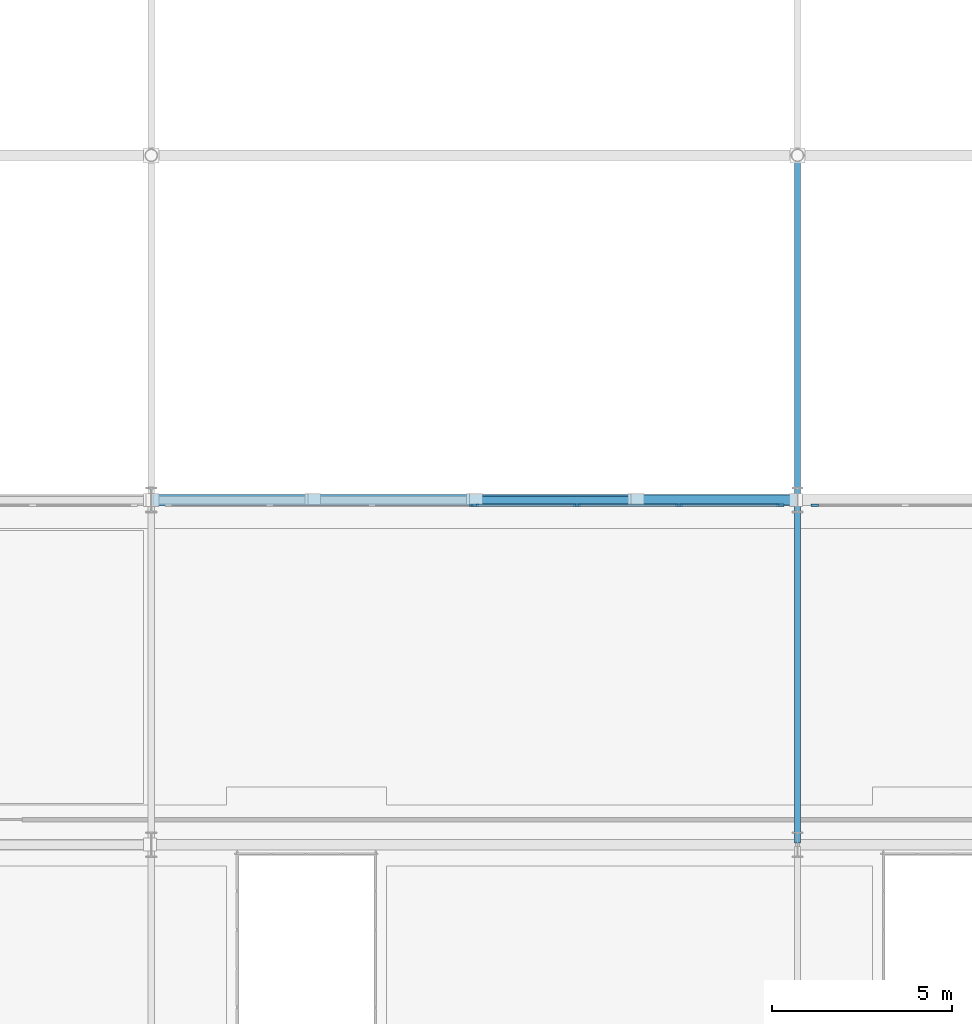
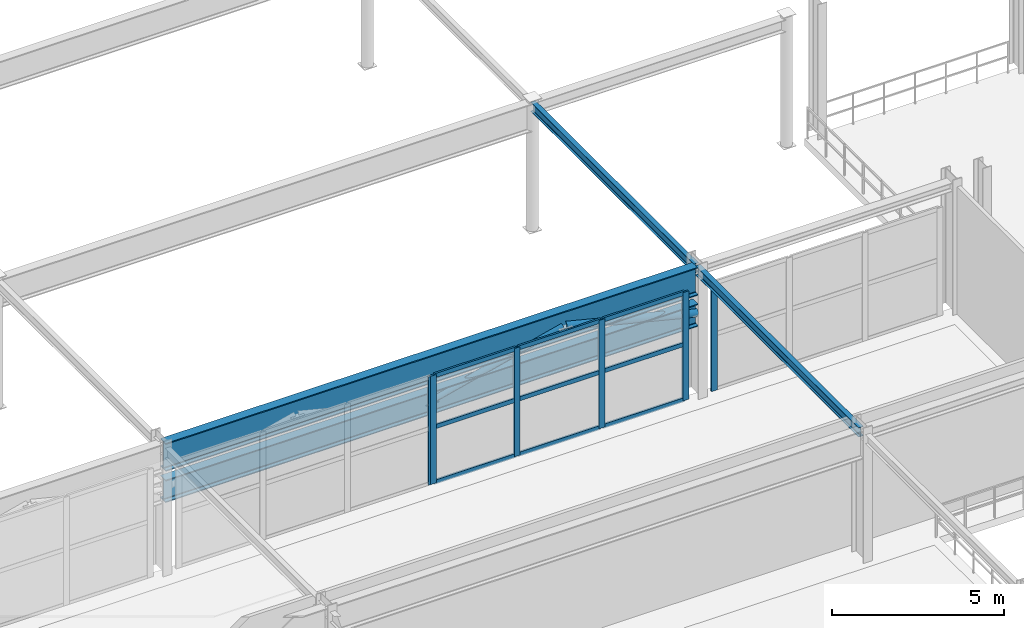
# One storey, part 45 of 125: 18 members, 3 beams, 3 elements without a shape of their own.
"""IFC4 building model written with IfcOpenShell, lengths in metres."""

from ifc_helpers import new_model, si_unit, direction, frame, origin, origin_2d, place, context, subcontext, project, spatial, rectangle, hollow_circle, i_section, extrude, material, layer, layer_set, material_profile, profile_set, type_object, element, aggregate, save


model = new_model("IFC4")

# Units and contexts
model_context = context("Model", 3, precision=1e-05, world=origin(), true_north=direction((0.0, 1.0)))
body_context = subcontext(model_context, "Body", "Model", "MODEL_VIEW")
ifc_project = project(units=[si_unit("LENGTHUNIT", "METRE"), si_unit("AREAUNIT", "SQUARE_METRE"), si_unit("VOLUMEUNIT", "CUBIC_METRE"), si_unit("PLANEANGLEUNIT", "RADIAN"), si_unit("MASSUNIT", "GRAM", prefix="KILO")], contexts=[model_context])

# Site, building, storey
site_placement = place(None, origin())
site = spatial("IfcSite", under=ifc_project, at=site_placement, CompositionType="ELEMENT")
building_placement = place(site_placement, origin())
building = spatial("IfcBuilding", under=site, at=building_placement, Name="Myrtia Square Station", CompositionType="ELEMENT")
storey_placement = place(building_placement, frame((0.0, 0.0, 6.0)))
storey = spatial("IfcBuildingStorey", under=building, at=storey_placement, Name="L01", CompositionType="ELEMENT", Elevation=6.0)

# Beams
ifc_material_1 = material(Name="Steel S355", Category="steel")
ifc_material_profile_1 = material_profile(ifc_material_1, i_section(OverallWidth=0.159912109375, OverallDepth=0.330078125, WebThickness=0.007568359375, FlangeThickness=0.011474609375, FilletRadius=0.01806640625, at=origin_2d()), Name="IPE 330")
ifc_profile_set_1 = profile_set([ifc_material_profile_1], Name="Steel S355")
beam_type_1 = type_object("IfcBeamType", Name="BM-IPE330", PredefinedType="BEAM", material=ifc_profile_set_1)
for number, where, z_axis, x_axis, name in (
    (1, (63.0, 76.85009765625, 4.389892578125), (0.0, 1.0, 0.0), (-1.0, 0.0, 0.0), "Structural girder BMY-L01-0529"),
    (2, (63.0, 86.449951171875, 4.389892578125), (0.0, 1.0, 0.0), (-1.0, 0.0, 0.0), "Structural girder BMY-L01-0530"),
):
    element("IfcBeam", number, at=place(storey_placement, frame(where, z_axis=z_axis, x_axis=x_axis)), inside=storey, type_object=beam_type_1, Name=name, PredefinedType="BEAM", context=body_context, shape_type="SweptSolid", body=[
        extrude(i_section(OverallWidth=0.159912109375, OverallDepth=0.330078125, WebThickness=0.007568359375, FlangeThickness=0.011474609375, FilletRadius=0.01806640625, at=origin_2d()), origin(), (0.0, 0.0, 1.0), 9.5),
    ])

# Members
ifc_material_profile_2 = material_profile(ifc_material_1, hollow_circle(Radius=0.109619140625, WallThickness=0.012451171875, at=origin_2d()), Name="CHS 219.1x12.5")
ifc_profile_set_2 = profile_set([ifc_material_profile_2], Name="Steel S355")
member_type_1 = type_object("IfcMemberType", Name="BRC-CHS219", PredefinedType="BRACE", material=ifc_profile_set_2)
member_1_placement = place(storey_placement, frame((54.0400390625, 86.39990234375, 2.85009765625), z_axis=(0.97040677758, 0.0, 0.241476056838), x_axis=(0.0, 1.0, 0.0)))
element("IfcMember", 3, at=member_1_placement, inside=storey, type_object=member_type_1, Name="Warren roof truss 06 diagonal 7", PredefinedType="BRACE", context=body_context, shape_type="SweptSolid", body=[
    extrude(hollow_circle(Radius=0.109619140625, WallThickness=0.012451171875, at=origin_2d()), origin(), (0.0, 0.0, 1.0), 4.5546875),
])
ifc_material_profile_3 = material_profile(ifc_material_1, hollow_circle(Radius=0.136474609375, WallThickness=0.01611328125, at=origin_2d()), Name="CHS 273x16")
ifc_profile_set_3 = profile_set([ifc_material_profile_3], Name="Steel S355")
member_type_2 = type_object("IfcMemberType", Name="BRC-CHS273", PredefinedType="BRACE", material=ifc_profile_set_3)
member_2_placement = place(storey_placement, frame((58.5400390625, 86.39990234375, 3.949951171875), z_axis=(0.97040677758, 0.0, -0.241476056838), x_axis=(0.0, 1.0, 0.0)))
element("IfcMember", 4, at=member_2_placement, inside=storey, type_object=member_type_2, Name="Warren roof truss 06 diagonal 8", PredefinedType="BRACE", context=body_context, shape_type="SweptSolid", body=[
    extrude(hollow_circle(Radius=0.136474609375, WallThickness=0.01611328125, at=origin_2d()), origin(), (0.0, 0.0, 1.0), 4.5546875),
])
ifc_material_profile_4 = material_profile(ifc_material_1, i_section(OverallWidth=0.300048828125, OverallDepth=0.800048828125, WebThickness=0.017578125, FlangeThickness=0.032958984375, FilletRadius=0.030029296875, at=origin_2d()), Name="HEB 800")
ifc_profile_set_4 = profile_set([ifc_material_profile_4], Name="Steel S355")
member_type_3 = type_object("IfcMemberType", Name="CHD-HEB800", PredefinedType="CHORD", material=ifc_profile_set_4)
member_3_placement = place(storey_placement, frame((45.050048828125, 86.39990234375, 2.85009765625), z_axis=(1.0, 0.0, 0.0), x_axis=(0.0, 1.0, 0.0)))
element("IfcMember", 5, at=member_3_placement, inside=storey, type_object=member_type_3, Name="Warren roof truss 06 bottom chord 2", PredefinedType="CHORD", context=body_context, shape_type="SweptSolid", body=[
    extrude(i_section(OverallWidth=0.300048828125, OverallDepth=0.800048828125, WebThickness=0.017578125, FlangeThickness=0.032958984375, FilletRadius=0.030029296875, at=origin_2d()), origin(), (0.0, 0.0, 1.0), 17.89990234375),
])

# Curtain wall, member
ifc_material_2 = material(Name="Dark bronze anodised aluminium", Category="aluminium")
ifc_layer_1 = layer(ifc_material_2, 0.159912109375, Name="Dark bronze anodised aluminium")
ifc_layer_set_1 = layer_set([ifc_layer_1], Name="Dark bronze anodised aluminium")
curtain_wall_type_1 = type_object("IfcCurtainWallType", Name="CW-TYPE-19-855x385", PredefinedType="USERDEFINED", material=ifc_layer_set_1)
curtain_wall_1_placement = place(storey_placement, origin())
curtain_wall_1 = element("IfcCurtainWall", 6, at=curtain_wall_1_placement, inside=storey, type_object=curtain_wall_type_1, Name="Concourse curtain wall CW-L01-068", ObjectType="CONCOURSE CURTAIN WALL", PredefinedType="USERDEFINED")
ifc_material_profile_5 = material_profile(ifc_material_2, rectangle(XDim=0.06494140625, YDim=0.199951171875, at=origin_2d()), Name="ALU-M 65x200")
ifc_profile_set_5 = profile_set([ifc_material_profile_5], Name="Dark bronze anodised aluminium")
member_type_4 = type_object("IfcMemberType", Name="CWM-65x200", PredefinedType="MULLION", material=ifc_profile_set_5)
member_4_placement = place(storey_placement, frame((53.967529296875, 86.25, 0.0), z_axis=(0.0, 0.0, 1.0), x_axis=(0.0, 1.0, 0.0)))
member_4 = element("IfcMember", 7, at=member_4_placement, type_object=member_type_4, Name="CW-068 mullion 4", PredefinedType="MULLION", context=body_context, shape_type="SweptSolid", body=[
    extrude(rectangle(XDim=0.06494140625, YDim=0.199951171875, at=origin_2d()), origin(), (0.0, 0.0, 1.0), 3.85009765625),
])
aggregate(curtain_wall_1, [member_4])

# Curtain wall, members
curtain_wall_2_placement = place(storey_placement, origin())
curtain_wall_2 = element("IfcCurtainWall", 8, at=curtain_wall_2_placement, inside=storey, type_object=curtain_wall_type_1, Name="Concourse curtain wall CW-L01-070", ObjectType="CONCOURSE CURTAIN WALL", PredefinedType="USERDEFINED")
member_5_placement = place(storey_placement, frame((54.032470703125, 86.25, 0.0), z_axis=(0.0, 0.0, 1.0), x_axis=(0.0, 1.0, 0.0)))
member_5 = element("IfcMember", 9, at=member_5_placement, type_object=member_type_4, Name="CW-070 mullion 1", PredefinedType="MULLION", context=body_context, shape_type="SweptSolid", body=[
    extrude(rectangle(XDim=0.06494140625, YDim=0.199951171875, at=origin_2d()), origin(), (0.0, 0.0, 1.0), 3.85009765625),
])
member_6_placement = place(storey_placement, frame((56.85009765625, 86.25, 0.0), z_axis=(0.0, 0.0, 1.0), x_axis=(0.0, 1.0, 0.0)))
member_6 = element("IfcMember", 10, at=member_6_placement, type_object=member_type_4, Name="CW-070 mullion 2", PredefinedType="MULLION", context=body_context, shape_type="SweptSolid", body=[
    extrude(rectangle(XDim=0.06494140625, YDim=0.199951171875, at=origin_2d()), origin(), (0.0, 0.0, 1.0), 3.85009765625),
])
member_7_placement = place(storey_placement, frame((59.699951171875, 86.25, 0.0), z_axis=(0.0, 0.0, 1.0), x_axis=(0.0, 1.0, 0.0)))
member_7 = element("IfcMember", 11, at=member_7_placement, type_object=member_type_4, Name="CW-070 mullion 3", PredefinedType="MULLION", context=body_context, shape_type="SweptSolid", body=[
    extrude(rectangle(XDim=0.06494140625, YDim=0.199951171875, at=origin_2d()), origin(), (0.0, 0.0, 1.0), 3.85009765625),
])
member_8_placement = place(storey_placement, frame((62.517578125, 86.25, 0.0), z_axis=(0.0, 0.0, 1.0), x_axis=(0.0, 1.0, 0.0)))
member_8 = element("IfcMember", 12, at=member_8_placement, type_object=member_type_4, Name="CW-070 mullion 4", PredefinedType="MULLION", context=body_context, shape_type="SweptSolid", body=[
    extrude(rectangle(XDim=0.06494140625, YDim=0.199951171875, at=origin_2d()), origin(), (0.0, 0.0, 1.0), 3.85009765625),
])

# Curtain wall, member
ifc_layer_2 = layer(ifc_material_2, 0.159912109375, Name="Dark bronze anodised aluminium")
ifc_layer_set_2 = layer_set([ifc_layer_2], Name="Dark bronze anodised aluminium")
curtain_wall_type_2 = type_object("IfcCurtainWallType", Name="CW-TYPE-21-765x385", PredefinedType="USERDEFINED", material=ifc_layer_set_2)
curtain_wall_3_placement = place(storey_placement, origin())
curtain_wall_3 = element("IfcCurtainWall", 13, at=curtain_wall_3_placement, inside=storey, type_object=curtain_wall_type_2, Name="Concourse curtain wall CW-L01-072", ObjectType="CONCOURSE CURTAIN WALL", PredefinedType="USERDEFINED")
member_9_placement = place(storey_placement, frame((63.482421875, 86.25, 0.0), z_axis=(0.0, 0.0, 1.0), x_axis=(0.0, 1.0, 0.0)))
member_9 = element("IfcMember", 14, at=member_9_placement, type_object=member_type_4, Name="CW-072 mullion 1", PredefinedType="MULLION", context=body_context, shape_type="SweptSolid", body=[
    extrude(rectangle(XDim=0.06494140625, YDim=0.199951171875, at=origin_2d()), origin(), (0.0, 0.0, 1.0), 3.85009765625),
])
aggregate(curtain_wall_3, [member_9])

# Member
ifc_material_profile_6 = material_profile(ifc_material_2, rectangle(XDim=0.06494140625, YDim=0.14990234375, at=origin_2d()), Name="ALU-T 65x150")
ifc_profile_set_6 = profile_set([ifc_material_profile_6], Name="Dark bronze anodised aluminium")
member_type_5 = type_object("IfcMemberType", Name="CWT-65x150", PredefinedType="USERDEFINED", material=ifc_profile_set_6)
member_10_placement = place(storey_placement, frame((54.06494140625, 86.25, 0.032470703125), z_axis=(1.0, 0.0, 0.0), x_axis=(0.0, 1.0, 0.0)))
member_10 = element("IfcMember", 15, at=member_10_placement, type_object=member_type_5, Name="CW-070 transom 1.1", ObjectType="TRANSOM", PredefinedType="USERDEFINED", context=body_context, shape_type="SweptSolid", body=[
    extrude(rectangle(XDim=0.06494140625, YDim=0.14990234375, at=origin_2d()), origin(), (0.0, 0.0, 1.0), 2.75244140625),
])

member_11_placement = place(storey_placement, frame((54.06494140625, 86.25, 2.001953125), z_axis=(1.0, 0.0, 0.0), x_axis=(0.0, 1.0, 0.0)))
member_11 = element("IfcMember", 16, at=member_11_placement, type_object=member_type_5, Name="CW-070 transom 1.2", ObjectType="TRANSOM", PredefinedType="USERDEFINED", context=body_context, shape_type="SweptSolid", body=[
    extrude(rectangle(XDim=0.06494140625, YDim=0.14990234375, at=origin_2d()), origin(), (0.0, 0.0, 1.0), 2.75244140625),
])

member_12_placement = place(storey_placement, frame((54.06494140625, 86.25, 3.8173828125), z_axis=(1.0, 0.0, 0.0), x_axis=(0.0, 1.0, 0.0)))
member_12 = element("IfcMember", 17, at=member_12_placement, type_object=member_type_5, Name="CW-070 transom 1.3", ObjectType="TRANSOM", PredefinedType="USERDEFINED", context=body_context, shape_type="SweptSolid", body=[
    extrude(rectangle(XDim=0.06494140625, YDim=0.14990234375, at=origin_2d()), origin(), (0.0, 0.0, 1.0), 2.75244140625),
])

member_13_placement = place(storey_placement, frame((56.882568359375, 86.25, 0.032470703125), z_axis=(1.0, 0.0, 0.0), x_axis=(0.0, 1.0, 0.0)))
member_13 = element("IfcMember", 18, at=member_13_placement, type_object=member_type_5, Name="CW-070 transom 2.1", ObjectType="TRANSOM", PredefinedType="USERDEFINED", context=body_context, shape_type="SweptSolid", body=[
    extrude(rectangle(XDim=0.06494140625, YDim=0.14990234375, at=origin_2d()), origin(), (0.0, 0.0, 1.0), 2.784912109375),
])

member_14_placement = place(storey_placement, frame((56.882568359375, 86.25, 2.001953125), z_axis=(1.0, 0.0, 0.0), x_axis=(0.0, 1.0, 0.0)))
member_14 = element("IfcMember", 19, at=member_14_placement, type_object=member_type_5, Name="CW-070 transom 2.2", ObjectType="TRANSOM", PredefinedType="USERDEFINED", context=body_context, shape_type="SweptSolid", body=[
    extrude(rectangle(XDim=0.06494140625, YDim=0.14990234375, at=origin_2d()), origin(), (0.0, 0.0, 1.0), 2.784912109375),
])

member_15_placement = place(storey_placement, frame((56.882568359375, 86.25, 3.8173828125), z_axis=(1.0, 0.0, 0.0), x_axis=(0.0, 1.0, 0.0)))
member_15 = element("IfcMember", 20, at=member_15_placement, type_object=member_type_5, Name="CW-070 transom 2.3", ObjectType="TRANSOM", PredefinedType="USERDEFINED", context=body_context, shape_type="SweptSolid", body=[
    extrude(rectangle(XDim=0.06494140625, YDim=0.14990234375, at=origin_2d()), origin(), (0.0, 0.0, 1.0), 2.784912109375),
])

member_16_placement = place(storey_placement, frame((59.732421875, 86.25, 0.032470703125), z_axis=(1.0, 0.0, 0.0), x_axis=(0.0, 1.0, 0.0)))
member_16 = element("IfcMember", 21, at=member_16_placement, type_object=member_type_5, Name="CW-070 transom 3.1", ObjectType="TRANSOM", PredefinedType="USERDEFINED", context=body_context, shape_type="SweptSolid", body=[
    extrude(rectangle(XDim=0.06494140625, YDim=0.14990234375, at=origin_2d()), origin(), (0.0, 0.0, 1.0), 2.752685546875),
])

member_17_placement = place(storey_placement, frame((59.732421875, 86.25, 2.001953125), z_axis=(1.0, 0.0, 0.0), x_axis=(0.0, 1.0, 0.0)))
member_17 = element("IfcMember", 22, at=member_17_placement, type_object=member_type_5, Name="CW-070 transom 3.2", ObjectType="TRANSOM", PredefinedType="USERDEFINED", context=body_context, shape_type="SweptSolid", body=[
    extrude(rectangle(XDim=0.06494140625, YDim=0.14990234375, at=origin_2d()), origin(), (0.0, 0.0, 1.0), 2.752685546875),
])

member_18_placement = place(storey_placement, frame((59.732421875, 86.25, 3.8173828125), z_axis=(1.0, 0.0, 0.0), x_axis=(0.0, 1.0, 0.0)))
member_18 = element("IfcMember", 23, at=member_18_placement, type_object=member_type_5, Name="CW-070 transom 3.3", ObjectType="TRANSOM", PredefinedType="USERDEFINED", context=body_context, shape_type="SweptSolid", body=[
    extrude(rectangle(XDim=0.06494140625, YDim=0.14990234375, at=origin_2d()), origin(), (0.0, 0.0, 1.0), 2.752685546875),
])

aggregate(curtain_wall_2, [member_5, member_6, member_7, member_8, member_10, member_11, member_12, member_13, member_14, member_15, member_16, member_17, member_18])

# Beam
ifc_material_profile_7 = material_profile(ifc_material_1, i_section(OverallWidth=0.300048828125, OverallDepth=1.0, WebThickness=0.01904296875, FlangeThickness=0.035888671875, FilletRadius=0.030029296875, at=origin_2d()), Name="HEB 1000")
ifc_profile_set_7 = profile_set([ifc_material_profile_7], Name="Steel S355")
beam_type_2 = type_object("IfcBeamType", Name="TG-HEB1000", PredefinedType="USERDEFINED", material=ifc_profile_set_7)
beam_placement = place(storey_placement, frame((45.050048828125, 86.39990234375, 4.054931640625), z_axis=(1.0, 0.0, 0.0), x_axis=(0.0, 1.0, 0.0)))
element("IfcBeam", 24, at=beam_placement, inside=storey, type_object=beam_type_2, Name="Structural girder TG-L01-0126", ObjectType="TRANSFER GIRDER", PredefinedType="USERDEFINED", context=body_context, shape_type="SweptSolid", body=[
    extrude(i_section(OverallWidth=0.300048828125, OverallDepth=1.0, WebThickness=0.01904296875, FlangeThickness=0.035888671875, FilletRadius=0.030029296875, at=origin_2d()), origin(), (0.0, 0.0, 1.0), 17.89990234375),
])

save(model, "model.ifc")
